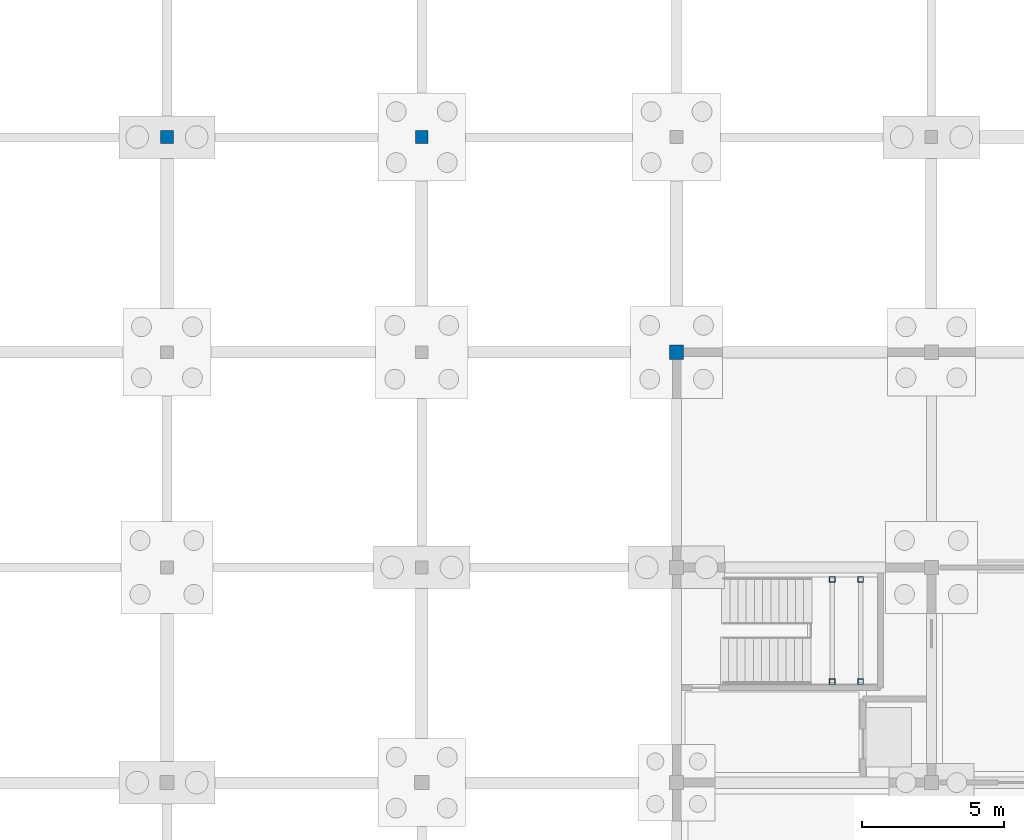
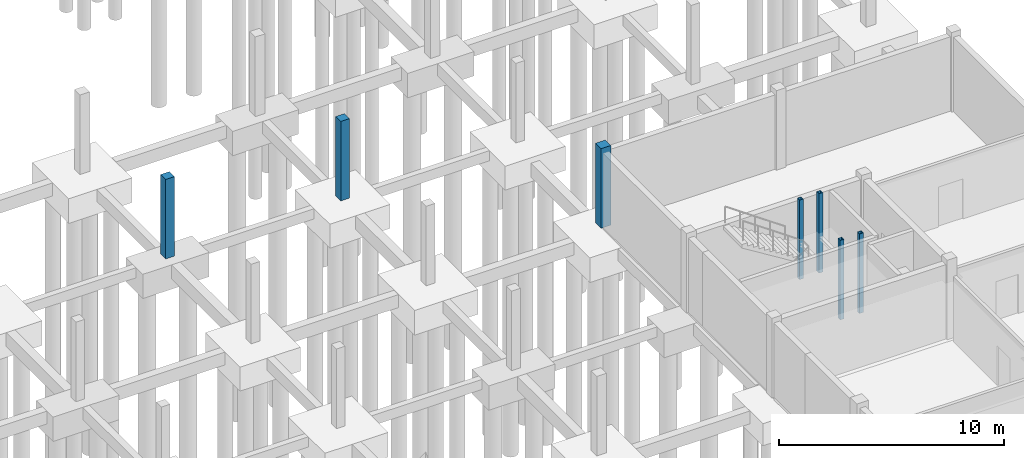
# One storey, part 14 of 28: 7 columns.
"""IFC4 building model written with IfcOpenShell, lengths in metres."""

from ifc_helpers import new_model, si_unit, direction, frame, origin, origin_2d, place, context, subcontext, project, spatial, rectangle, hollow_rectangle, extrude, material, material_profile, profile_set, type_object, element, save


model = new_model("IFC4")

# Units and contexts
model_context = context("Model", 3, precision=1e-05, world=origin(), true_north=direction((0.0, 1.0)))
body_context = subcontext(model_context, "Body", "Model", "MODEL_VIEW")
ifc_project = project(units=[si_unit("LENGTHUNIT", "METRE"), si_unit("AREAUNIT", "SQUARE_METRE"), si_unit("VOLUMEUNIT", "CUBIC_METRE"), si_unit("PLANEANGLEUNIT", "RADIAN"), si_unit("MASSUNIT", "GRAM", prefix="KILO")], contexts=[model_context])

# Site, building, storey
site_placement = place(None, origin())
site = spatial("IfcSite", under=ifc_project, at=site_placement, CompositionType="ELEMENT")
building_placement = place(site_placement, origin())
building = spatial("IfcBuilding", under=site, at=building_placement, Name="Caisbarro Railhouse Central Library", CompositionType="ELEMENT")
storey_placement = place(building_placement, frame((0.0, 0.0, -4.320068359375)))
storey = spatial("IfcBuildingStorey", under=building, at=storey_placement, Name="B01", CompositionType="ELEMENT", Elevation=-4.320068359375)

# Columns
ifc_material_1 = material(Name="Steel ASTM A572 Grade 50", Category="steel")
ifc_material_profile_1 = material_profile(ifc_material_1, hollow_rectangle(XDim=0.199951171875, YDim=0.199951171875, WallThickness=0.012451171875, at=origin_2d()), Name="HSS200X200X12.5")
ifc_profile_set_1 = profile_set([ifc_material_profile_1], Name="Steel ASTM A572 Grade 50")
column_type_1 = type_object("IfcColumnType", Name="COL-C10", PredefinedType="COLUMN", material=ifc_profile_set_1)
for number, where, z_axis, x_axis, name in (
    (1, (59.5, 33.969970703125, 0.0), (0.0, 0.0, 1.0), (1.0, 0.0, 0.0), "C10 Stair Landing Post K4 B01.1"),
    (2, (59.5, 37.580078125, 0.0), (0.0, 0.0, 1.0), (1.0, 0.0, 0.0), "C10 Stair Landing Post K4 B01.2"),
    (3, (60.5, 33.969970703125, 0.0), (0.0, 0.0, 1.0), (1.0, 0.0, 0.0), "C10 Stair Landing Post K4 B01.3"),
    (4, (60.5, 37.580078125, 0.0), (0.0, 0.0, 1.0), (1.0, 0.0, 0.0), "C10 Stair Landing Post K4 B01.4"),
):
    element("IfcColumn", number, at=place(storey_placement, frame(where, z_axis=z_axis, x_axis=x_axis)), inside=storey, type_object=column_type_1, Name=name, PredefinedType="COLUMN", context=body_context, shape_type="SweptSolid", body=[
        extrude(hollow_rectangle(XDim=0.199951171875, YDim=0.199951171875, WallThickness=0.012451171875, at=origin_2d()), origin(), (0.0, 0.0, 1.0), 4.320068359375),
    ])
ifc_material_2 = material(Name="Concrete C40", Category="concrete")
ifc_material_profile_2 = material_profile(ifc_material_2, rectangle(XDim=0.449951171875, YDim=0.449951171875, at=origin_2d()), Name="RC-COL-450X450")
ifc_profile_set_2 = profile_set([ifc_material_profile_2], Name="Concrete C40")
column_type_2 = type_object("IfcColumnType", Name="COL-RC45", PredefinedType="COLUMN", material=ifc_profile_set_2)
for number, where, z_axis, x_axis, name in (
    (5, (36.0, 53.199951171875, 0.0), (0.0, 0.0, 1.0), (1.0, 0.0, 0.0), "RC45 column B01 (36.0,53.2)"),
    (6, (45.0, 53.199951171875, 0.0), (0.0, 0.0, 1.0), (1.0, 0.0, 0.0), "RC45 column B01 (45.0,53.2)"),
):
    element("IfcColumn", number, at=place(storey_placement, frame(where, z_axis=z_axis, x_axis=x_axis)), inside=storey, type_object=column_type_2, Name=name, PredefinedType="COLUMN", context=body_context, shape_type="SweptSolid", body=[
        extrude(rectangle(XDim=0.449951171875, YDim=0.449951171875, at=origin_2d()), origin(), (0.0, 0.0, 1.0), 4.320068359375),
    ])
ifc_material_profile_3 = material_profile(ifc_material_2, rectangle(XDim=0.5, YDim=0.5, at=origin_2d()), Name="RC-COL-500X500")
ifc_profile_set_3 = profile_set([ifc_material_profile_3], Name="Concrete C40")
column_type_3 = type_object("IfcColumnType", Name="COL-RC50", PredefinedType="COLUMN", material=ifc_profile_set_3)
column_placement = place(storey_placement, frame((54.0, 45.60009765625, 0.0), z_axis=(0.0, 0.0, 1.0), x_axis=(1.0, 0.0, 0.0)))
element("IfcColumn", 7, at=column_placement, inside=storey, type_object=column_type_3, Name="RC50 column B01 (54.0,45.6)", PredefinedType="COLUMN", context=body_context, shape_type="SweptSolid", body=[
    extrude(rectangle(XDim=0.5, YDim=0.5, at=origin_2d()), origin(), (0.0, 0.0, 1.0), 4.320068359375),
])

save(model, "model.ifc")
